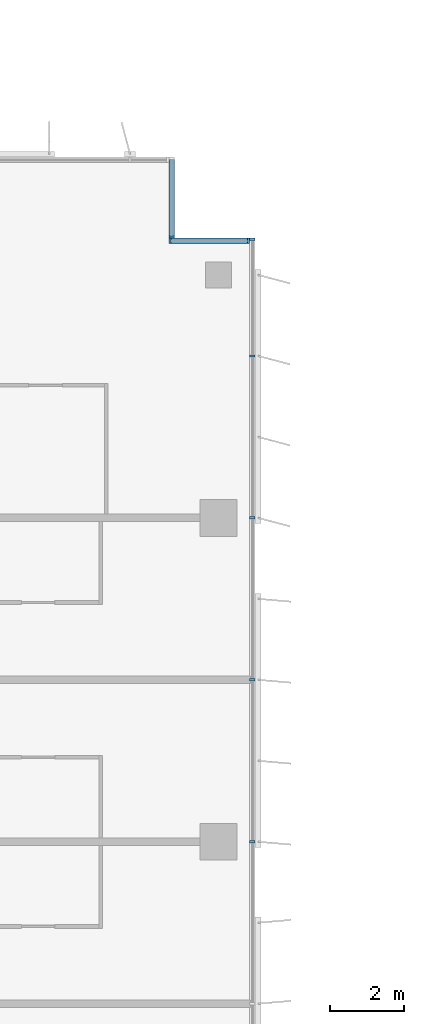
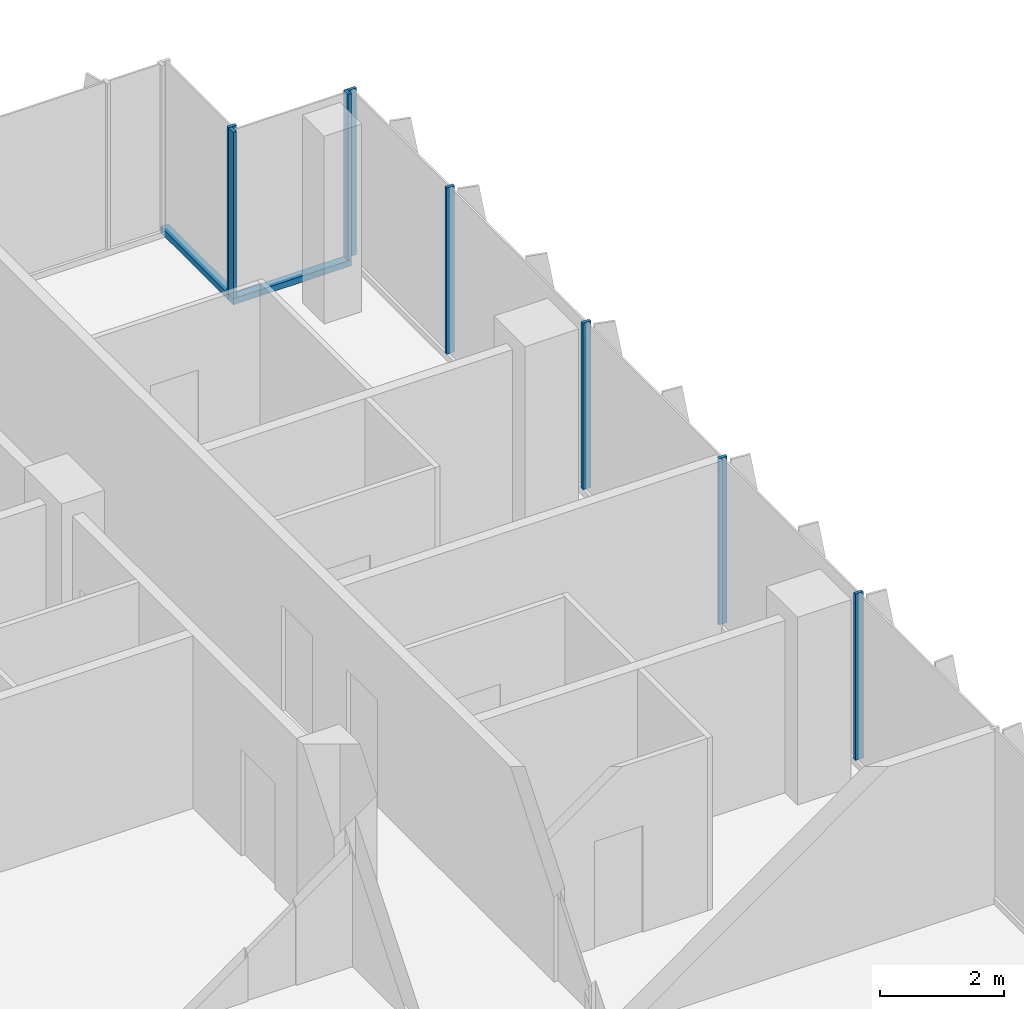
# One storey, part 7 of 21: 10 members, 3 elements without a shape of their own.
"""IFC4 building model written with IfcOpenShell, lengths in metres."""

from ifc_helpers import new_model, si_unit, direction, frame, origin, origin_2d, place, context, subcontext, project, spatial, rectangle, extrude, source, transform, mapped, material, material_profile, profile_set, type_object, element, aggregate, save


model = new_model("IFC4")

# Units and contexts
model_context = context("Model", 3, precision=1e-05, world=origin(), true_north=direction((0.0, 1.0)))
body_context = subcontext(model_context, "Body", "Model", "MODEL_VIEW")
ifc_project = project(units=[si_unit("LENGTHUNIT", "METRE"), si_unit("AREAUNIT", "SQUARE_METRE"), si_unit("VOLUMEUNIT", "CUBIC_METRE"), si_unit("PLANEANGLEUNIT", "RADIAN"), si_unit("MASSUNIT", "GRAM", prefix="KILO")], contexts=[model_context])

# Site, building, storey
site_placement = place(None, origin())
site = spatial("IfcSite", under=ifc_project, at=site_placement, CompositionType="ELEMENT")
building_placement = place(site_placement, origin())
building = spatial("IfcBuilding", under=site, at=building_placement, Name="Kemantara Hotel Tower", CompositionType="ELEMENT")
storey_placement = place(building_placement, frame((0.0, 0.0, 156.800048828125)))
storey = spatial("IfcBuildingStorey", under=building, at=storey_placement, Name="L38", CompositionType="ELEMENT", Elevation=156.800048828125)

# Curtain wall, member
ifc_material_1 = material(Name="Low-E tinted double insulated glass 36 mm", Category="glass")
curtain_wall_type = type_object("IfcCurtainWallType", Name="TOWER CURTAIN WALL, FRONT FACES", PredefinedType="USERDEFINED", material=ifc_material_1)
curtain_wall_1_placement = place(storey_placement, origin())
curtain_wall_1 = element("IfcCurtainWall", 1, at=curtain_wall_1_placement, inside=storey, type_object=curtain_wall_type, Name="CW4 L38 T3-R00-1", ObjectType="TOWER CURTAIN WALL, FRONT FACES", PredefinedType="USERDEFINED")
ifc_material_2 = material(Name="Aluminium 6063-T6 bronze anodised", Category="aluminium")
ifc_material_profile_1 = material_profile(ifc_material_2, rectangle(XDim=0.14990234375, YDim=0.1201171875, at=origin_2d()), Name="TOWER CURTAIN WALL, FRONT FACES TRANSOM")
ifc_profile_set_1 = profile_set([ifc_material_profile_1], Name="Aluminium 6063-T6 bronze anodised")
member_type_1 = type_object("IfcMemberType", Name="TOWER CURTAIN WALL, FRONT FACES TRANSOM", PredefinedType="USERDEFINED", material=ifc_profile_set_1)
member_1_placement = place(storey_placement, frame((21.85009765625, 61.324951171875, 0.06005859375), z_axis=(-1.0, 0.0, 0.0), x_axis=(0.0, -1.0, 0.0)))
member_1 = element("IfcMember", 2, at=member_1_placement, type_object=member_type_1, Name="CW4 sill transom T3-R00-1", ObjectType="TRANSOM", PredefinedType="USERDEFINED", context=body_context, shape_type="SweptSolid", body=[
    extrude(rectangle(XDim=0.14990234375, YDim=0.1201171875, at=origin_2d()), origin(), (0.0, 0.0, 1.0), 2.2001953125),
])

curtain_wall_2_placement = place(storey_placement, origin())
curtain_wall_2 = element("IfcCurtainWall", 3, at=curtain_wall_2_placement, inside=storey, type_object=curtain_wall_type, Name="CW4 L38 T3-R01-1", ObjectType="TOWER CURTAIN WALL, FRONT FACES", PredefinedType="USERDEFINED")
member_2_placement = place(storey_placement, frame((19.72509765625, 61.39990234375, 0.06005859375), z_axis=(0.0, 1.0, 0.0), x_axis=(-1.0, 0.0, 0.0)))
member_2 = element("IfcMember", 4, at=member_2_placement, type_object=member_type_1, Name="CW4 sill transom T3-R01-1", ObjectType="TRANSOM", PredefinedType="USERDEFINED", context=body_context, shape_type="SweptSolid", body=[
    extrude(rectangle(XDim=0.14990234375, YDim=0.1201171875, at=origin_2d()), origin(), (0.0, 0.0, 1.0), 2.2001953125),
])

# Curtain wall, members
curtain_wall_3_placement = place(storey_placement, origin())
curtain_wall_3 = element("IfcCurtainWall", 5, at=curtain_wall_3_placement, inside=storey, type_object=curtain_wall_type, Name="CW4 L38 T3-R17-1", ObjectType="TOWER CURTAIN WALL, FRONT FACES", PredefinedType="USERDEFINED")
ifc_material_profile_2 = material_profile(ifc_material_2, rectangle(XDim=0.14990234375, YDim=0.06005859375, at=origin_2d()), Name="TOWER CURTAIN WALL, FRONT FACES MULLION")
ifc_profile_set_2 = profile_set([ifc_material_profile_2], Name="Aluminium 6063-T6 bronze anodised")
member_type_2 = type_object("IfcMemberType", Name="TOWER CURTAIN WALL, FRONT FACES MULLION", PredefinedType="MULLION", material=ifc_profile_set_2)
shared_shape = source(origin(), body_context, "Body", "SweptSolid", [
    extrude(rectangle(XDim=0.14990234375, YDim=0.06005859375, at=origin_2d()), origin(), (0.0, 0.0, 1.0), 3.280029296875),
])
member_3_placement = place(storey_placement, frame((21.925048828125, 45.0, 0.119873046875), z_axis=(0.0, 0.0, 1.0), x_axis=(-1.0, 0.0, 0.0)))
member_3 = element("IfcMember", 6, at=member_3_placement, type_object=member_type_2, Name="CW4 mullion T3-R17-1.6", PredefinedType="MULLION", context=body_context, shape_type="MappedRepresentation", body=[
    mapped(shared_shape, transform((0.0, 0.0, 0.0))),
])
member_4_placement = place(storey_placement, frame((21.925048828125, 49.39990234375, 0.119873046875), z_axis=(0.0, 0.0, 1.0), x_axis=(-1.0, 0.0, 0.0)))
member_4 = element("IfcMember", 7, at=member_4_placement, type_object=member_type_2, Name="CW4 mullion T3-R17-1.7", PredefinedType="MULLION", context=body_context, shape_type="MappedRepresentation", body=[
    mapped(shared_shape, transform((0.0, 0.0, 0.0))),
])
member_5_placement = place(storey_placement, frame((21.925048828125, 53.800048828125, 0.119873046875), z_axis=(0.0, 0.0, 1.0), x_axis=(-1.0, 0.0, 0.0)))
member_5 = element("IfcMember", 8, at=member_5_placement, type_object=member_type_2, Name="CW4 mullion T3-R17-1.8", PredefinedType="MULLION", context=body_context, shape_type="MappedRepresentation", body=[
    mapped(shared_shape, transform((0.0, 0.0, 0.0))),
])
member_6_placement = place(storey_placement, frame((21.925048828125, 58.199951171875, 0.119873046875), z_axis=(0.0, 0.0, 1.0), x_axis=(-1.0, 0.0, 0.0)))
member_6 = element("IfcMember", 9, at=member_6_placement, type_object=member_type_2, Name="CW4 mullion T3-R17-1.9", PredefinedType="MULLION", context=body_context, shape_type="MappedRepresentation", body=[
    mapped(shared_shape, transform((0.0, 0.0, 0.0))),
])
member_7_placement = place(storey_placement, frame((21.925048828125, 61.3701171875, 0.119873046875), z_axis=(0.0, 0.0, 1.0), x_axis=(-1.0, 0.0, 0.0)))
member_7 = element("IfcMember", 10, at=member_7_placement, type_object=member_type_2, Name="CW4 mullion T3-R17-1.10", PredefinedType="MULLION", context=body_context, shape_type="MappedRepresentation", body=[
    mapped(shared_shape, transform((0.0, 0.0, 0.0))),
])
aggregate(curtain_wall_3, [member_3, member_4, member_5, member_6, member_7])

# Member
member_8_placement = place(storey_placement, frame((21.820068359375, 61.324951171875, 0.119873046875), z_axis=(0.0, 0.0, 1.0), x_axis=(0.0, -1.0, 0.0)))
member_8 = element("IfcMember", 11, at=member_8_placement, type_object=member_type_2, Name="CW4 mullion T3-R00-1.1", PredefinedType="MULLION", context=body_context, shape_type="MappedRepresentation", body=[
    mapped(shared_shape, transform((0.0, 0.0, 0.0))),
])

member_9_placement = place(storey_placement, frame((19.679931640625, 61.324951171875, 0.119873046875), z_axis=(0.0, 0.0, 1.0), x_axis=(0.0, -1.0, 0.0)))
member_9 = element("IfcMember", 12, at=member_9_placement, type_object=member_type_2, Name="CW4 mullion T3-R00-1.2", PredefinedType="MULLION", context=body_context, shape_type="MappedRepresentation", body=[
    mapped(shared_shape, transform((0.0, 0.0, 0.0))),
])

aggregate(curtain_wall_1, [member_1, member_8, member_9])

member_10_placement = place(storey_placement, frame((19.72509765625, 61.429931640625, 0.119873046875), z_axis=(0.0, 0.0, 1.0), x_axis=(-1.0, 0.0, 0.0)))
member_10 = element("IfcMember", 13, at=member_10_placement, type_object=member_type_2, Name="CW4 mullion T3-R01-1.1", PredefinedType="MULLION", context=body_context, shape_type="MappedRepresentation", body=[
    mapped(shared_shape, transform((0.0, 0.0, 0.0))),
])

aggregate(curtain_wall_2, [member_2, member_10])

save(model, "model.ifc")
